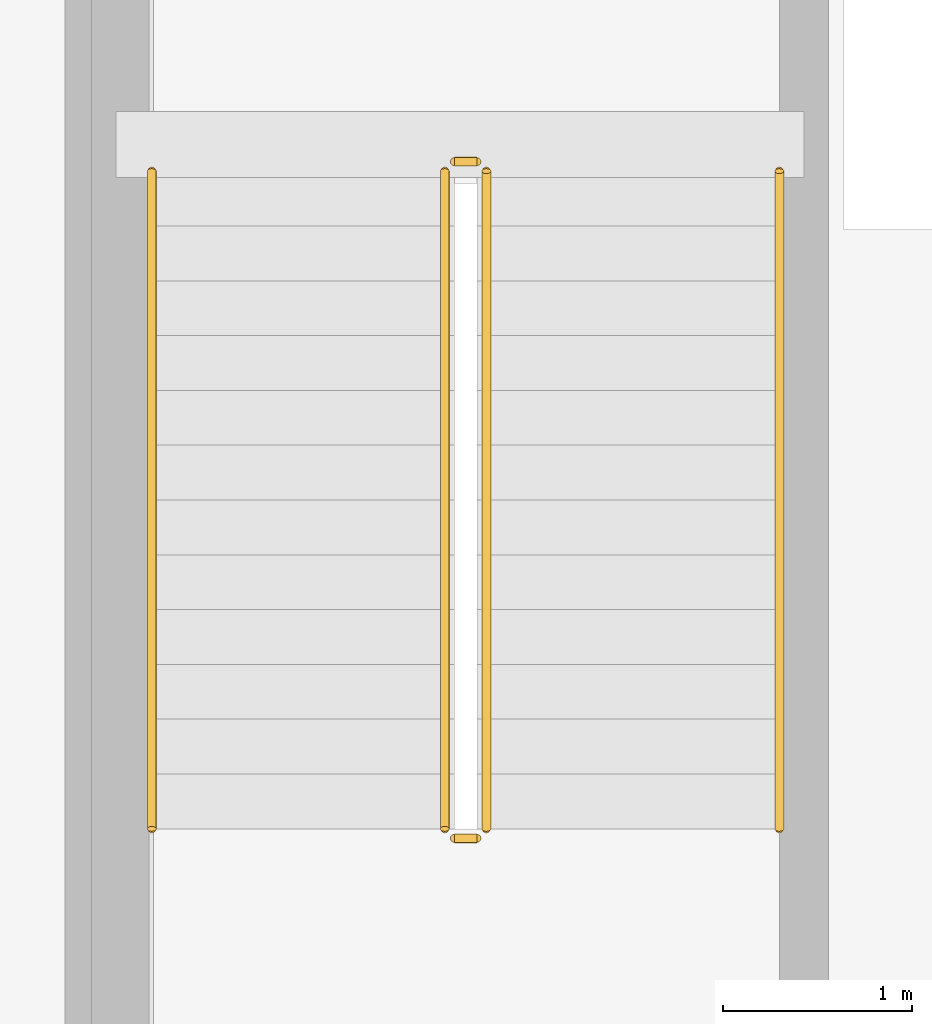
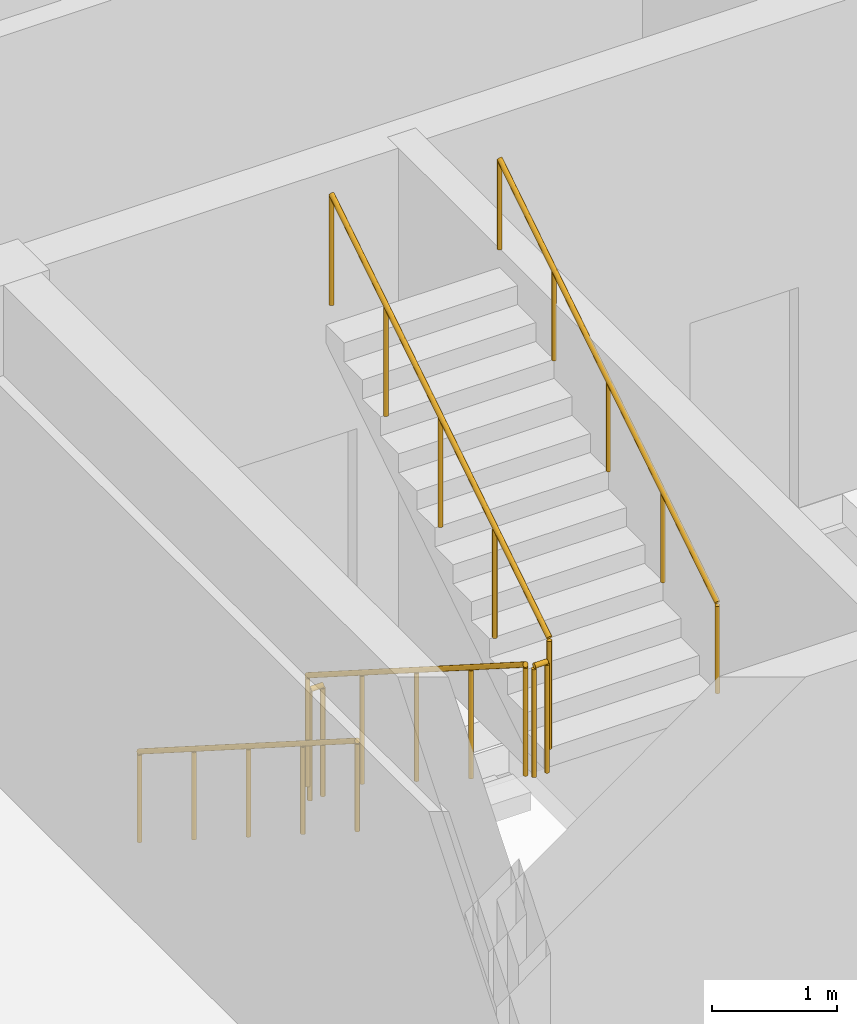
# One storey, part 42 of 47: 6 railings.
"""IFC4 building model written with IfcOpenShell, lengths in metres."""

from ifc_helpers import new_model, si_unit, direction, frame, origin, origin_2d, place, context, subcontext, project, spatial, circle, extrude, material, type_object, element, save


model = new_model("IFC4")

# Units and contexts
model_context = context("Model", 3, precision=1e-05, world=origin(), true_north=direction((0.0, 1.0)))
body_context = subcontext(model_context, "Body", "Model", "MODEL_VIEW")
ifc_project = project(units=[si_unit("LENGTHUNIT", "METRE"), si_unit("AREAUNIT", "SQUARE_METRE"), si_unit("VOLUMEUNIT", "CUBIC_METRE"), si_unit("PLANEANGLEUNIT", "RADIAN"), si_unit("MASSUNIT", "GRAM", prefix="KILO")], contexts=[model_context])

# Site, building, storey
site_placement = place(None, origin())
site = spatial("IfcSite", under=ifc_project, at=site_placement, CompositionType="ELEMENT")
building_placement = place(site_placement, origin())
building = spatial("IfcBuilding", under=site, at=building_placement, Name="Vharandega Faculty of Natural Sciences", CompositionType="ELEMENT")
storey_placement = place(building_placement, frame((0.0, 0.0, 5.39990234375)))
storey = spatial("IfcBuildingStorey", under=building, at=storey_placement, Name="L01", CompositionType="ELEMENT", Elevation=5.39990234375)

# Railings
ifc_material_1 = material(Name="Brushed stainless steel handrail", Category="steel")
railing_type_1 = type_object("IfcRailingType", Name="Stair Tubular Handrail 900", PredefinedType="HANDRAIL", material=ifc_material_1)
railing_1_placement = place(storey_placement, frame((32.18994140625, 46.2099609375, 0.184814453125)))
element("IfcRailing", 1, at=railing_1_placement, inside=storey, type_object=railing_type_1, Name="L01 ST3 stair handrail 1", PredefinedType="HANDRAIL", context=body_context, shape_type="SweptSolid", body=[
    extrude(circle(Radius=0.02392578125, at=origin_2d()), frame((0.0, 0.0, 0.8759765625), z_axis=(0.0, -0.843573748531, 0.537013343214), x_axis=(1.0, 0.0, 0.0)), (0.0, 0.0, 1.0), 4.125244140625),
    extrude(circle(Radius=0.02099609375, at=origin_2d()), origin(), (0.0, 0.0, 1.0), 0.851806640625),
    extrude(circle(Radius=0.02099609375, at=origin_2d()), frame((0.0, -0.8701171875, 0.5537109375)), (0.0, 0.0, 1.0), 0.851806640625),
    extrude(circle(Radius=0.02099609375, at=origin_2d()), frame((0.0, -1.739990234375, 1.107666015625)), (0.0, 0.0, 1.0), 0.851806640625),
    extrude(circle(Radius=0.02099609375, at=origin_2d()), frame((0.0, -2.60986328125, 1.66162109375)), (0.0, 0.0, 1.0), 0.851806640625),
    extrude(circle(Radius=0.02099609375, at=origin_2d()), frame((0.0, -3.47998046875, 2.21533203125)), (0.0, 0.0, 1.0), 0.851806640625),
])
railing_2_placement = place(storey_placement, frame((35.510009765625, 42.72998046875, 2.584716796875)))
element("IfcRailing", 2, at=railing_2_placement, inside=storey, type_object=railing_type_1, Name="L01 ST3 stair handrail 2", PredefinedType="HANDRAIL", context=body_context, shape_type="SweptSolid", body=[
    extrude(circle(Radius=0.02392578125, at=origin_2d()), frame((0.0, 0.0, 0.8759765625), z_axis=(0.0, 0.843573748531, 0.537013343214), x_axis=(-1.0, 0.0, 0.0)), (0.0, 0.0, 1.0), 4.125244140625),
    extrude(circle(Radius=0.02099609375, at=origin_2d()), origin(), (0.0, 0.0, 1.0), 0.851806640625),
    extrude(circle(Radius=0.02099609375, at=origin_2d()), frame((0.0, 0.8701171875, 0.5537109375)), (0.0, 0.0, 1.0), 0.851806640625),
    extrude(circle(Radius=0.02099609375, at=origin_2d()), frame((0.0, 1.739990234375, 1.107666015625)), (0.0, 0.0, 1.0), 0.851806640625),
    extrude(circle(Radius=0.02099609375, at=origin_2d()), frame((0.0, 2.60986328125, 1.66162109375)), (0.0, 0.0, 1.0), 0.851806640625),
    extrude(circle(Radius=0.02099609375, at=origin_2d()), frame((0.0, 3.47998046875, 2.21533203125)), (0.0, 0.0, 1.0), 0.851806640625),
])
ifc_material_2 = material(Name="Painted steel stair guardrail", Category="steel")
railing_type_2 = type_object("IfcRailingType", Name="Stairwell Steel Guardrail 1100", PredefinedType="GUARDRAIL", material=ifc_material_2)
railing_3_placement = place(storey_placement, frame((33.739990234375, 46.2099609375, 0.184814453125)))
element("IfcRailing", 3, at=railing_3_placement, inside=storey, type_object=railing_type_2, Name="L01 ST3 stair guard 1", PredefinedType="GUARDRAIL", context=body_context, shape_type="SweptSolid", body=[
    extrude(circle(Radius=0.02392578125, at=origin_2d()), frame((0.0, 0.0, 1.076171875), z_axis=(0.0, -0.843573748531, 0.537013343214), x_axis=(1.0, 0.0, 0.0)), (0.0, 0.0, 1.0), 4.125244140625),
    extrude(circle(Radius=0.02099609375, at=origin_2d()), origin(), (0.0, 0.0, 1.0), 1.052001953125),
    extrude(circle(Radius=0.02099609375, at=origin_2d()), frame((0.0, -0.8701171875, 0.5537109375)), (0.0, 0.0, 1.0), 1.052001953125),
    extrude(circle(Radius=0.02099609375, at=origin_2d()), frame((0.0, -1.739990234375, 1.107666015625)), (0.0, 0.0, 1.0), 1.052001953125),
    extrude(circle(Radius=0.02099609375, at=origin_2d()), frame((0.0, -2.60986328125, 1.66162109375)), (0.0, 0.0, 1.0), 1.052001953125),
    extrude(circle(Radius=0.02099609375, at=origin_2d()), frame((0.0, -3.47998046875, 2.21533203125)), (0.0, 0.0, 1.0), 1.052001953125),
])
railing_4_placement = place(storey_placement, frame((33.7900390625, 42.679931640625, 2.400146484375)))
element("IfcRailing", 4, at=railing_4_placement, inside=storey, type_object=railing_type_2, Name="L01 ST3 stair guard 2", PredefinedType="GUARDRAIL", context=body_context, shape_type="SweptSolid", body=[
    extrude(circle(Radius=0.02392578125, at=origin_2d()), frame((0.0, 0.0, 1.076171875), z_axis=(1.0, 0.0, 0.0), x_axis=(0.0, 1.0, 0.0)), (0.0, 0.0, 1.0), 0.119873046875),
    extrude(circle(Radius=0.02099609375, at=origin_2d()), origin(), (0.0, 0.0, 1.0), 1.052001953125),
    extrude(circle(Radius=0.02099609375, at=origin_2d()), frame((0.119873046875, 0.0, 0.0)), (0.0, 0.0, 1.0), 1.052001953125),
])
railing_5_placement = place(storey_placement, frame((33.9599609375, 42.72998046875, 2.584716796875)))
element("IfcRailing", 5, at=railing_5_placement, inside=storey, type_object=railing_type_2, Name="L01 ST3 stair guard 3", PredefinedType="GUARDRAIL", context=body_context, shape_type="SweptSolid", body=[
    extrude(circle(Radius=0.02392578125, at=origin_2d()), frame((0.0, 0.0, 1.076171875), z_axis=(0.0, 0.843573748531, 0.537013343214), x_axis=(-1.0, 0.0, 0.0)), (0.0, 0.0, 1.0), 4.125244140625),
    extrude(circle(Radius=0.02099609375, at=origin_2d()), origin(), (0.0, 0.0, 1.0), 1.052001953125),
    extrude(circle(Radius=0.02099609375, at=origin_2d()), frame((0.0, 0.8701171875, 0.5537109375)), (0.0, 0.0, 1.0), 1.052001953125),
    extrude(circle(Radius=0.02099609375, at=origin_2d()), frame((0.0, 1.739990234375, 1.107666015625)), (0.0, 0.0, 1.0), 1.052001953125),
    extrude(circle(Radius=0.02099609375, at=origin_2d()), frame((0.0, 2.60986328125, 1.66162109375)), (0.0, 0.0, 1.0), 1.052001953125),
    extrude(circle(Radius=0.02099609375, at=origin_2d()), frame((0.0, 3.47998046875, 2.21533203125)), (0.0, 0.0, 1.0), 1.052001953125),
])
railing_6_placement = place(storey_placement, frame((33.7900390625, 46.260009765625, 0.0)))
element("IfcRailing", 6, at=railing_6_placement, inside=storey, type_object=railing_type_2, Name="L01 ST3 stair guard 4", PredefinedType="GUARDRAIL", context=body_context, shape_type="SweptSolid", body=[
    extrude(circle(Radius=0.02392578125, at=origin_2d()), frame((0.0, 0.0, 1.076171875), z_axis=(1.0, 0.0, 0.0), x_axis=(0.0, 1.0, 0.0)), (0.0, 0.0, 1.0), 0.119873046875),
    extrude(circle(Radius=0.02099609375, at=origin_2d()), origin(), (0.0, 0.0, 1.0), 1.052001953125),
    extrude(circle(Radius=0.02099609375, at=origin_2d()), frame((0.119873046875, 0.0, 0.0)), (0.0, 0.0, 1.0), 1.052001953125),
])

save(model, "model.ifc")
